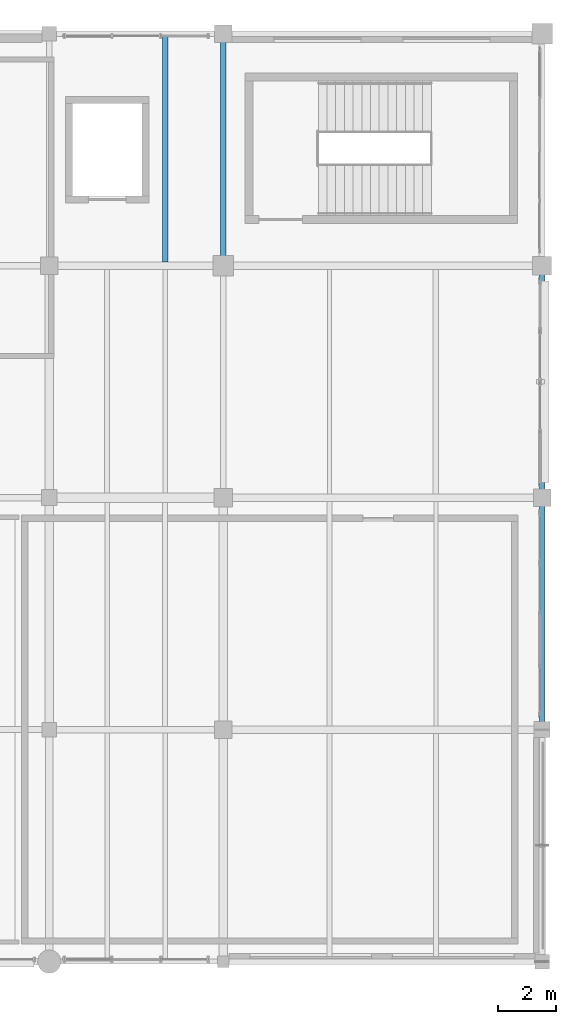
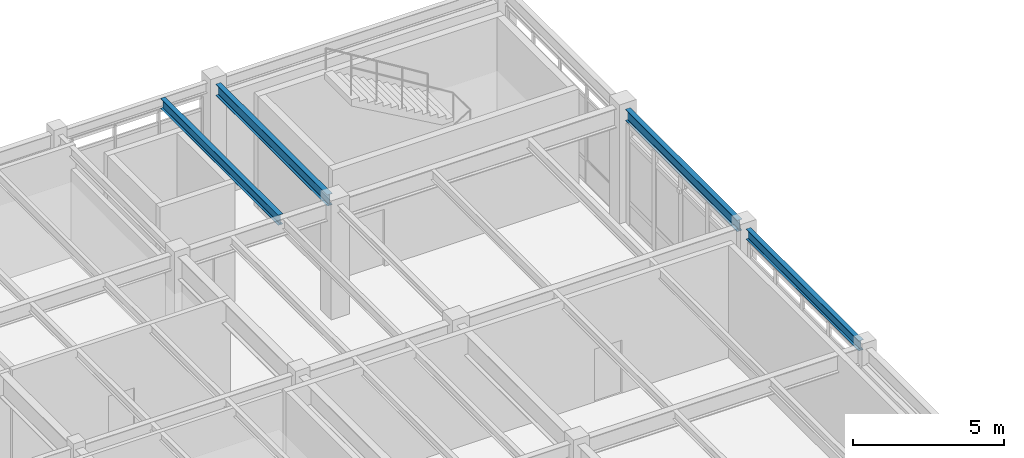
# One storey, part 151 of 200: 4 beams.
"""IFC4 building model written with IfcOpenShell, lengths in metres."""

from ifc_helpers import new_model, si_unit, direction, frame, origin, origin_2d, place, context, subcontext, project, spatial, i_section, extrude, material, material_profile, profile_set, type_object, element, save


model = new_model("IFC4")

# Units and contexts
model_context = context("Model", 3, precision=1e-05, world=origin(), true_north=direction((0.0, 1.0)))
body_context = subcontext(model_context, "Body", "Model", "MODEL_VIEW")
ifc_project = project(units=[si_unit("LENGTHUNIT", "METRE"), si_unit("AREAUNIT", "SQUARE_METRE"), si_unit("VOLUMEUNIT", "CUBIC_METRE"), si_unit("PLANEANGLEUNIT", "RADIAN"), si_unit("MASSUNIT", "GRAM", prefix="KILO"), si_unit("THERMODYNAMICTEMPERATUREUNIT", "KELVIN"), si_unit("POWERUNIT", "WATT")], contexts=[model_context])

# Site, building, storey
site_placement = place(None, origin())
site = spatial("IfcSite", under=ifc_project, at=site_placement, CompositionType="ELEMENT")
building_placement = place(site_placement, origin())
building = spatial("IfcBuilding", under=site, at=building_placement, Name="Tepalcoro Natatorium and Aquatics Centre", CompositionType="ELEMENT")
storey_placement = place(building_placement, frame((0.0, 0.0, 5.39990234375)))
storey = spatial("IfcBuildingStorey", under=building, at=storey_placement, Name="L01", CompositionType="ELEMENT", Elevation=5.39990234375)

# Beams
ifc_material = material(Name="Steel ASTM A992 Grade 50 (Fy 345 MPa)", Category="steel")
ifc_material_profile_1 = material_profile(ifc_material, i_section(OverallWidth=0.19091796875, OverallDepth=0.45703125, WebThickness=0.009033203125, FlangeThickness=0.013916015625, FilletRadius=0.013916015625, at=origin_2d()), Name="W18X50")
ifc_profile_set_1 = profile_set([ifc_material_profile_1], Name="Steel ASTM A992 Grade 50 (Fy 345 MPa)")
beam_type_1 = type_object("IfcBeamType", Name="BM_W18x50", PredefinedType="BEAM", material=ifc_profile_set_1)
beam_1_placement = place(storey_placement, frame((165.0, 110.3349609375, 4.316650390625), z_axis=(0.0, 1.0, 0.0), x_axis=(-1.0, 0.0, 0.0)))
element("IfcBeam", 1, at=beam_1_placement, inside=storey, type_object=beam_type_1, Name="V5 L01 Grid Girder Y", PredefinedType="BEAM", context=body_context, shape_type="SweptSolid", body=[
    extrude(i_section(OverallWidth=0.19091796875, OverallDepth=0.45703125, WebThickness=0.009033203125, FlangeThickness=0.013916015625, FilletRadius=0.013916015625, at=origin_2d()), origin(), (0.0, 0.0, 1.0), 7.380126953125),
])
ifc_material_profile_2 = material_profile(ifc_material, i_section(OverallWidth=0.178955078125, OverallDepth=0.409912109375, WebThickness=0.009033203125, FlangeThickness=0.013916015625, FilletRadius=0.013916015625, at=origin_2d()), Name="W16X45")
ifc_profile_set_2 = profile_set([ifc_material_profile_2], Name="Steel ASTM A992 Grade 50 (Fy 345 MPa)")
beam_type_2 = type_object("IfcBeamType", Name="JS_W16x45", PredefinedType="JOIST", material=ifc_profile_set_2)
beam_2_placement = place(storey_placement, frame((163.0, 110.126953125, 4.340087890625), z_axis=(0.0, 1.0, 0.0), x_axis=(-1.0, 0.0, 0.0)))
element("IfcBeam", 2, at=beam_2_placement, inside=storey, type_object=beam_type_2, Name="V5 L01 Floor Joist", PredefinedType="JOIST", context=body_context, shape_type="SweptSolid", body=[
    extrude(i_section(OverallWidth=0.178955078125, OverallDepth=0.409912109375, WebThickness=0.009033203125, FlangeThickness=0.013916015625, FilletRadius=0.013916015625, at=origin_2d()), origin(), (0.0, 0.0, 1.0), 7.782958984375),
])
ifc_material_profile_3 = material_profile(ifc_material, i_section(OverallWidth=0.179931640625, OverallDepth=0.4130859375, WebThickness=0.010009765625, FlangeThickness=0.01611328125, FilletRadius=0.013916015625, at=origin_2d()), Name="W16X50")
ifc_profile_set_3 = profile_set([ifc_material_profile_3], Name="Steel ASTM A992 Grade 50 (Fy 345 MPa)")
beam_type_3 = type_object("IfcBeamType", Name="SP_HSS300x200x12", PredefinedType="SPANDREL", material=ifc_profile_set_3)
beam_3_placement = place(storey_placement, frame((176.0, 94.260009765625, 4.338623046875), z_axis=(0.0, 1.0, 0.0), x_axis=(-1.0, 0.0, 0.0)))
element("IfcBeam", 3, at=beam_3_placement, inside=storey, type_object=beam_type_3, Name="V5 L01 Grid Girder Y", PredefinedType="SPANDREL", context=body_context, shape_type="SweptSolid", body=[
    extrude(i_section(OverallWidth=0.179931640625, OverallDepth=0.4130859375, WebThickness=0.010009765625, FlangeThickness=0.01611328125, FilletRadius=0.013916015625, at=origin_2d()), origin(), (0.0, 0.0, 1.0), 7.455078125),
])
ifc_material_profile_4 = material_profile(ifc_material, i_section(OverallWidth=0.19091796875, OverallDepth=0.4599609375, WebThickness=0.010009765625, FlangeThickness=0.01611328125, FilletRadius=0.013916015625, at=origin_2d()), Name="W18X55")
ifc_profile_set_4 = profile_set([ifc_material_profile_4], Name="Steel ASTM A992 Grade 50 (Fy 345 MPa)")
beam_type_4 = type_object("IfcBeamType", Name="SP_W18x55", PredefinedType="SPANDREL", material=ifc_profile_set_4)
beam_4_placement = place(storey_placement, frame((176.0, 102.284912109375, 4.315185546875), z_axis=(0.0, 1.0, 0.0), x_axis=(-1.0, 0.0, 0.0)))
element("IfcBeam", 4, at=beam_4_placement, inside=storey, type_object=beam_type_4, Name="V5 L01 Grid Girder Y", PredefinedType="SPANDREL", context=body_context, shape_type="SweptSolid", body=[
    extrude(i_section(OverallWidth=0.19091796875, OverallDepth=0.4599609375, WebThickness=0.010009765625, FlangeThickness=0.01611328125, FilletRadius=0.013916015625, at=origin_2d()), origin(), (0.0, 0.0, 1.0), 7.405029296875),
])

save(model, "model.ifc")
